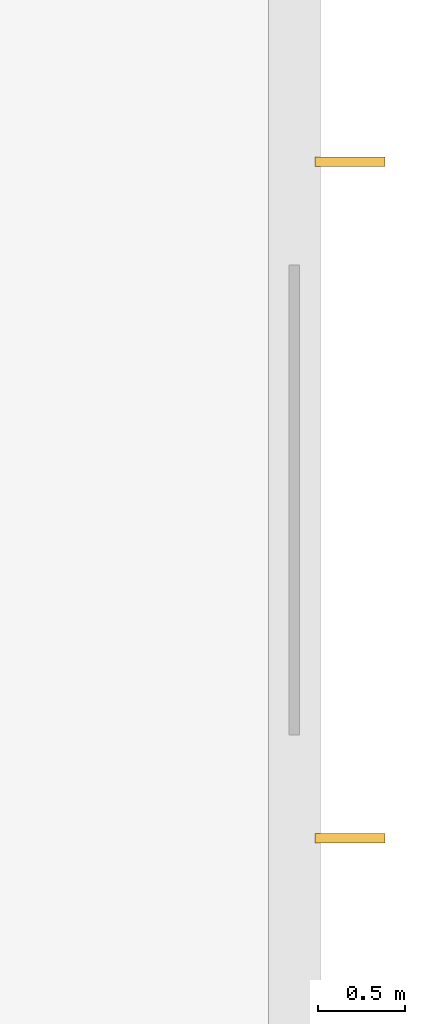
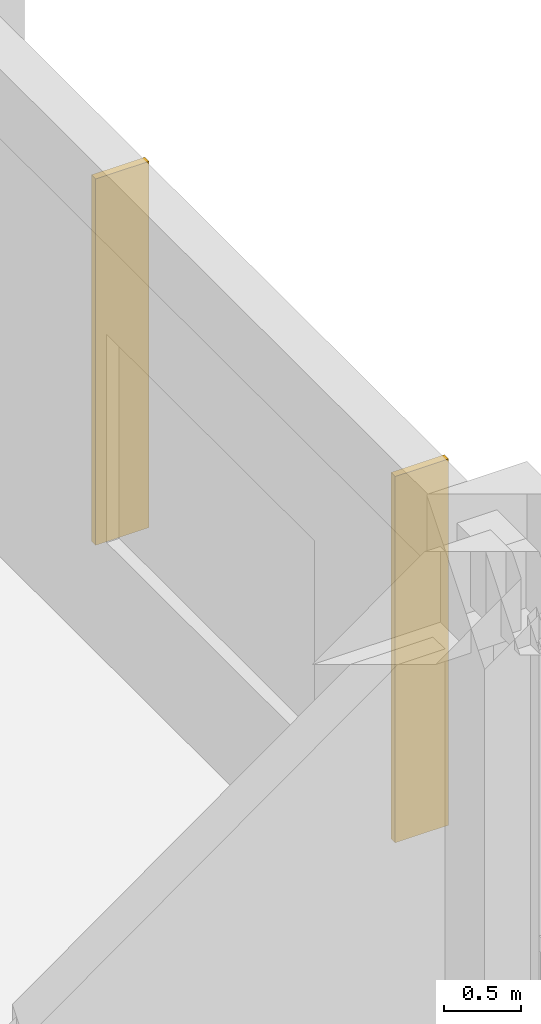
# One storey, part 10 of 10: 2 shading devices.
"""IFC4 building model written with IfcOpenShell, lengths in metres."""

import ifcopenshell
import ifcopenshell.guid

model = None  # the IFC model being written
_history = None  # IfcOwnerHistory: only IFC2X3 demands one
_inside = {}  # id of a spatial element -> (the spatial element, [elements in it])
_under = {}  # id of a project, library or spatial element -> (it, [spatial elements below it])
_declared = {}  # id of a project -> (the project, [libraries it declares])
_typed = {}  # id of a type object -> (the type object, [elements of that type])
_made_of = {}  # id of a material, layer set ... -> (it, [elements and type objects made of it])


def new_model(schema):
    """Start an empty IFC model of exactly this schema.

    Asked for "IFC4X3", IfcOpenShell would pick the latest addendum, in which some entities
    have other attributes; the version numbers below select the first issue.
    IFC2X3 requires an IfcOwnerHistory on every rooted entity: one is made here for all.
    """
    global model, _history
    if schema == "IFC4X3":
        model = ifcopenshell.file(schema_version=(4, 3, 0, 0))
    else:
        model = ifcopenshell.file(schema=schema)
    _inside.clear()
    _under.clear()
    _declared.clear()
    _typed.clear()
    _made_of.clear()
    _history = None
    if model.schema == "IFC2X3":
        org = make("IfcOrganization", Name="unknown")
        user = make(
            "IfcPersonAndOrganization",
            ThePerson=make("IfcPerson", FamilyName="unknown"),
            TheOrganization=org,
        )
        app = make(
            "IfcApplication",
            ApplicationDeveloper=org,
            Version="unknown",
            ApplicationFullName="unknown",
            ApplicationIdentifier="unknown",
        )
        _history = make(
            "IfcOwnerHistory",
            OwningUser=user,
            OwningApplication=app,
            ChangeAction="ADDED",
            CreationDate=0,
        )
    return model


def make(cls, **values):
    """One entity of the class cls with the attributes given. An attribute that is None is left unset."""
    return model.create_entity(
        cls, **{name: value for name, value in values.items() if value is not None}
    )


def rooted(cls, **values):
    """An entity with a GlobalId (a new one), such as an element, a storey or a relation."""
    return make(cls, GlobalId=ifcopenshell.guid.new(), OwnerHistory=_history, **values)


def si_unit(unit_type, name, prefix=None):
    """IfcSIUnit, for example si_unit("LENGTHUNIT", "METRE", prefix="MILLI")."""
    return make("IfcSIUnit", UnitType=unit_type, Prefix=prefix, Name=name)


def derived_unit(unit_type, elements):
    """IfcDerivedUnit: a product of units, each with its exponent."""
    return make(
        "IfcDerivedUnit",
        Elements=[
            make("IfcDerivedUnitElement", Unit=unit, Exponent=power)
            for unit, power in elements
        ],
        UnitType=unit_type,
    )


def assignment(units):
    """IfcUnitAssignment: the units of a project."""
    return None if units is None else make("IfcUnitAssignment", Units=units)


def point(xyz):
    """IfcCartesianPoint."""
    return None if xyz is None else make("IfcCartesianPoint", Coordinates=xyz)


def direction(xyz):
    """IfcDirection."""
    return None if xyz is None else make("IfcDirection", DirectionRatios=xyz)


def frame(location, z_axis=None, x_axis=None):
    """IfcAxis2Placement3D, a coordinate frame: its origin and axes. An axis left out is left unset."""
    return make(
        "IfcAxis2Placement3D",
        Location=point(location),
        Axis=direction(z_axis),
        RefDirection=direction(x_axis),
    )


def frame_2d(location, x_axis=None):
    """IfcAxis2Placement2D, a coordinate frame in the plane: its origin and x axis."""
    return make(
        "IfcAxis2Placement2D", Location=point(location), RefDirection=direction(x_axis)
    )


def origin():
    """The frame at (0, 0, 0) with its axes left unset."""
    return frame((0.0, 0.0, 0.0))


def origin_2d():
    """The frame at (0, 0) in the plane with its x axis left unset."""
    return frame_2d((0.0, 0.0))


def place(relative_to, where):
    """IfcLocalPlacement: puts the frame where relative to a parent placement (None: the world)."""
    return make(
        "IfcLocalPlacement", PlacementRelTo=relative_to, RelativePlacement=where
    )


def context(
    kind, dimensions, precision=None, world=None, true_north=None, identifier=None
):
    """IfcGeometricRepresentationContext, for example the 3D "Model" context."""
    return make(
        "IfcGeometricRepresentationContext",
        ContextIdentifier=identifier,
        ContextType=kind,
        CoordinateSpaceDimension=dimensions,
        Precision=precision,
        WorldCoordinateSystem=world,
        TrueNorth=true_north,
    )


def subcontext(parent, identifier, kind, view, scale=None):
    """IfcGeometricRepresentationSubContext, for example "Body" below "Model"."""
    return make(
        "IfcGeometricRepresentationSubContext",
        ContextIdentifier=identifier,
        ContextType=kind,
        ParentContext=parent,
        TargetScale=scale,
        TargetView=view,
    )


def project(units=None, contexts=None):
    """IfcProject with its units and contexts."""
    return rooted(
        "IfcProject",
        Name="project",
        RepresentationContexts=contexts,
        UnitsInContext=assignment(units),
    )


def spatial(cls, under=None, at=None, **own):
    """A site, building, storey or space (cls), placed at a placement, below another one or the project."""
    s = rooted(cls, ObjectPlacement=at, **own)
    if under is not None:
        _under.setdefault(under.id(), (under, []))[1].append(s)
    return s


def profile(cls, at=None, kind="AREA", **sizes):
    """A parametric profile (cls). Its sizes go by their IFC names, for example OverallWidth=200.0."""
    return make(cls, ProfileType=kind, Position=at, **sizes)


def rectangle(**sizes):
    """IfcRectangleProfileDef."""
    return profile("IfcRectangleProfileDef", **sizes)


def extrude(swept, where, along, depth):
    """IfcExtrudedAreaSolid: the profile swept, set in the frame where, extruded along a direction by depth."""
    return make(
        "IfcExtrudedAreaSolid",
        SweptArea=swept,
        Position=where,
        ExtrudedDirection=direction(along),
        Depth=depth,
    )


def shape(context_of_items, identifier, shape_type, items):
    """IfcShapeRepresentation: the items that make up one representation, for example the "Body"."""
    return make(
        "IfcShapeRepresentation",
        ContextOfItems=context_of_items,
        RepresentationIdentifier=identifier,
        RepresentationType=shape_type,
        Items=items,
    )


def material(Name=None, Category=None):
    """IfcMaterial."""
    return make("IfcMaterial", Name=Name, Category=Category)


def layer(
    of_material, thickness, ventilated=None, Name=None, Category=None, Priority=None
):
    """IfcMaterialLayer: one layer of a wall or slab, of a material (None: an air gap)."""
    return make(
        "IfcMaterialLayer",
        Material=of_material,
        LayerThickness=thickness,
        IsVentilated=ventilated,
        Name=Name,
        Category=Category,
        Priority=Priority,
    )


def layer_set(layers, Name=None):
    """IfcMaterialLayerSet."""
    return make("IfcMaterialLayerSet", MaterialLayers=layers, LayerSetName=Name)


def made_of(thing, what):
    """Note that an element or type object is made of a material, layer set ...; save() writes the relation."""
    if what is not None:
        _made_of.setdefault(what.id(), (what, []))[1].append(thing)
    return thing


def type_object(cls, material=None, **own):
    """A type object (cls), such as IfcWallType, which elements share."""
    return made_of(rooted(cls, **own), material)


def element(
    cls,
    number,
    at=None,
    inside=None,
    cuts=None,
    type_object=None,
    material=None,
    context=None,
    identifier="Body",
    shape_type=None,
    held_by="IfcProductDefinitionShape",
    body=None,
    shapes=None,
    **own,
):
    """One element of the class cls, such as IfcWall. Its Tag is "e" and its number.

    at: its placement. inside: the storey or other place that contains it. cuts: it is an
    opening in that element (IfcRelVoidsElement). A single representation is given by context,
    identifier, shape_type and body (its items); several are given by shapes. held_by: the class
    of the entity that holds the representations. save() writes the other relations.
    """
    e = rooted(cls, Tag="e%d" % number, ObjectPlacement=at, **own)
    if body is not None:
        shapes = [shape(context, identifier, shape_type, body)]
    if shapes is not None:
        e.Representation = make(held_by, Representations=shapes)
    if inside is not None:
        _inside.setdefault(inside.id(), (inside, []))[1].append(e)
    if cuts is not None:
        rooted(
            "IfcRelVoidsElement", RelatingBuildingElement=cuts, RelatedOpeningElement=e
        )
    if type_object is not None:
        _typed.setdefault(type_object.id(), (type_object, []))[1].append(e)
    return made_of(e, material)


def aggregate(whole, parts):
    """IfcRelAggregates: a whole, such as a stair, and the parts it consists of."""
    return rooted("IfcRelAggregates", RelatingObject=whole, RelatedObjects=parts)


def save(model, path):
    """Write the relations noted so far, then the file.

    IfcRelAggregates (storeys below a building ...), IfcRelContainedInSpatialStructure (elements
    in a storey), IfcRelDefinesByType, IfcRelAssociatesMaterial and IfcRelDeclares: one each for
    every whole, place, type object, material and project.
    """
    for whole, parts in _under.values():
        aggregate(whole, parts)
    for where, things in _inside.values():
        rooted(
            "IfcRelContainedInSpatialStructure",
            RelatedElements=things,
            RelatingStructure=where,
        )
    for kind, things in _typed.values():
        rooted("IfcRelDefinesByType", RelatedObjects=things, RelatingType=kind)
    for what, things in _made_of.values():
        rooted("IfcRelAssociatesMaterial", RelatedObjects=things, RelatingMaterial=what)
    for by, libraries in _declared.values():
        rooted("IfcRelDeclares", RelatingContext=by, RelatedDefinitions=libraries)
    model.write(path)


model = new_model("IFC4")

# Units and contexts
model_context = context("Model", 3, precision=1e-05, world=origin(), true_north=direction((0.0, 1.0)))
body_context = subcontext(model_context, "Body", "Model", "MODEL_VIEW")
ifc_project = project(units=[si_unit("LENGTHUNIT", "METRE"), si_unit("AREAUNIT", "SQUARE_METRE"), si_unit("VOLUMEUNIT", "CUBIC_METRE"), si_unit("PLANEANGLEUNIT", "RADIAN"), si_unit("MASSUNIT", "GRAM", prefix="KILO"), derived_unit("THERMALTRANSMITTANCEUNIT", [(si_unit("MASSUNIT", "GRAM", prefix="KILO"), 1), (si_unit("TIMEUNIT", "SECOND"), -3), (si_unit("THERMODYNAMICTEMPERATUREUNIT", "KELVIN"), -1)])], contexts=[model_context])

# Site, building, storey
site_placement = place(None, origin())
site = spatial("IfcSite", under=ifc_project, at=site_placement, CompositionType="ELEMENT")
building_placement = place(site_placement, origin())
building = spatial("IfcBuilding", under=site, at=building_placement, Name="Veldstrom Oceanarium and Marine Research Institute", CompositionType="ELEMENT")
storey_placement = place(building_placement, frame((0.0, 0.0, 43.800048828125)))
storey = spatial("IfcBuildingStorey", under=building, at=storey_placement, Name="L09", CompositionType="ELEMENT", Elevation=43.800048828125)

# Shading devices
ifc_material = material(Name="Precast Terracotta Brise-Soleil Louvre", Category="masonry")
ifc_layer = layer(ifc_material, 2.89990234375)
ifc_layer_set = layer_set([ifc_layer], Name="ARC-SHD-BS04")
shading_device_type = type_object("IfcShadingDeviceType", Name="ARC-SHD-BS04", PredefinedType="JALOUSIE", material=ifc_layer_set)
for number, where, z_axis, x_axis, name in (
    (1, (117.919921875, 59.27001953125, 0.5), (0.0, 0.0, 1.0), (1.0, 0.0, 0.0), "Terracotta Brise-Soleil Louvre L09-139"),
    (2, (117.919921875, 63.155029296875, 0.5), (0.0, 0.0, 1.0), (1.0, 0.0, 0.0), "Terracotta Brise-Soleil Louvre L09-139"),
):
    element("IfcShadingDevice", number, at=place(storey_placement, frame(where, z_axis=z_axis, x_axis=x_axis)), inside=storey, type_object=shading_device_type, Name=name, PredefinedType="JALOUSIE", context=body_context, shape_type="SweptSolid", body=[
        extrude(rectangle(XDim=0.39990234375, YDim=0.054931640625, at=origin_2d()), origin(), (0.0, 0.0, 1.0), 2.89990234375),
    ])

save(model, "model.ifc")
